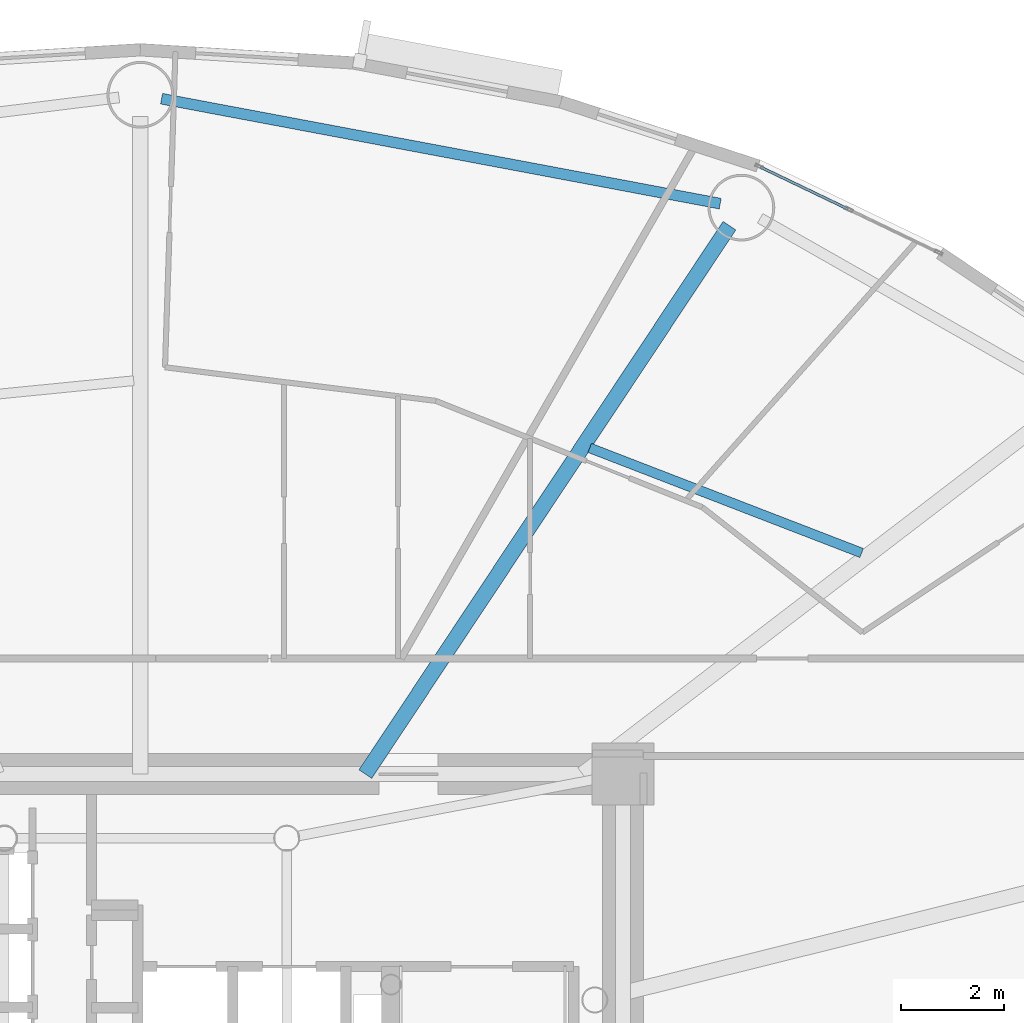
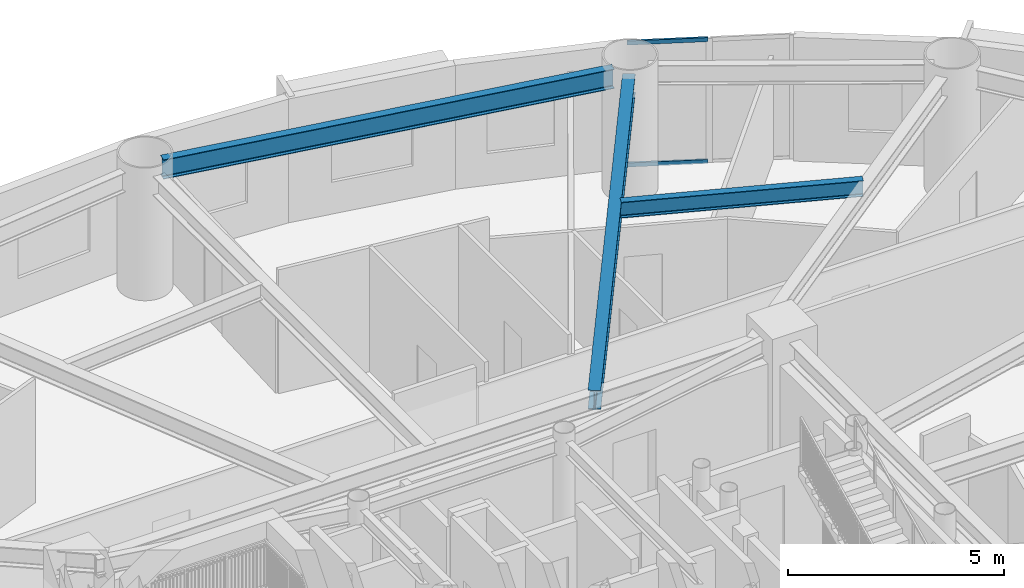
# One storey, part 4 of 17: 3 beams, 2 members, 1 element without a shape of its own.
"""IFC4 building model written with IfcOpenShell, lengths in metres."""

from ifc_helpers import new_model, si_unit, direction, frame, origin, origin_2d, place, context, subcontext, project, spatial, hollow_rectangle, i_section, extrude, source, transform, mapped, material, layer, layer_set, material_profile, profile_set, type_object, element, aggregate, save


model = new_model("IFC4")

# Units and contexts
model_context = context("Model", 3, precision=1e-05, world=origin(), true_north=direction((0.0, 1.0)))
body_context = subcontext(model_context, "Body", "Model", "MODEL_VIEW")
ifc_project = project(units=[si_unit("LENGTHUNIT", "METRE"), si_unit("AREAUNIT", "SQUARE_METRE"), si_unit("VOLUMEUNIT", "CUBIC_METRE"), si_unit("PLANEANGLEUNIT", "RADIAN"), si_unit("MASSUNIT", "GRAM", prefix="KILO")], contexts=[model_context])

# Site, building, storey
site_placement = place(None, origin())
site = spatial("IfcSite", under=ifc_project, at=site_placement, CompositionType="ELEMENT")
building_placement = place(site_placement, origin())
building = spatial("IfcBuilding", under=site, at=building_placement, Name="Linh Dai School and Residence Tower", CompositionType="ELEMENT")
storey_placement = place(building_placement, frame((0.0, 0.0, 197.39990234375)))
storey = spatial("IfcBuildingStorey", under=building, at=storey_placement, Name="L48", CompositionType="ELEMENT", Elevation=197.39990234375)

# Beams
ifc_material_1 = material(Name="Structural Steel S355JR", Category="steel")
ifc_material_profile_1 = material_profile(ifc_material_1, i_section(OverallWidth=0.2099609375, OverallDepth=0.550048828125, WebThickness=0.010986328125, FlangeThickness=0.01708984375, FilletRadius=0.02392578125, at=origin_2d()), Name="IPE 550")
ifc_profile_set_1 = profile_set([ifc_material_profile_1], Name="Structural Steel S355JR")
beam_type_1 = type_object("IfcBeamType", Name="BM-RB55", PredefinedType="BEAM", material=ifc_profile_set_1)
beam_1_placement = place(storey_placement, frame((47.292724609375, 44.70849609375, 3.22509765625), z_axis=(-0.98280721278, 0.184634727255, 0.0), x_axis=(-0.184634727255, -0.98280721278, 0.0)))
element("IfcBeam", 1, at=beam_1_placement, inside=storey, type_object=beam_type_1, Name="L48 Perimeter Elliptical Ring Beam 04", PredefinedType="BEAM", context=body_context, shape_type="SweptSolid", body=[
    extrude(i_section(OverallWidth=0.2099609375, OverallDepth=0.550048828125, WebThickness=0.010986328125, FlangeThickness=0.01708984375, FilletRadius=0.02392578125, at=origin_2d()), origin(), (0.0, 0.0, 1.0), 11.0703125),
])
ifc_material_profile_2 = material_profile(ifc_material_1, i_section(OverallWidth=0.300048828125, OverallDepth=0.550048828125, WebThickness=0.014892578125, FlangeThickness=0.029052734375, FilletRadius=0.027099609375, at=origin_2d()), Name="HEB 550")
ifc_profile_set_2 = profile_set([ifc_material_profile_2], Name="Structural Steel S355JR")
beam_type_2 = type_object("IfcBeamType", Name="BM-RG55", PredefinedType="BEAM", material=ifc_profile_set_2)
beam_2_placement = place(storey_placement, frame((40.3818359375, 33.60009765625, 3.22509765625), z_axis=(0.553117176317, 0.833103468522, 0.0), x_axis=(-0.833103468522, 0.553117176317, 0.0)))
element("IfcBeam", 2, at=beam_2_placement, inside=storey, type_object=beam_type_2, Name="L48 Primary Radial Floor Girder 04", PredefinedType="BEAM", context=body_context, shape_type="SweptSolid", body=[
    extrude(i_section(OverallWidth=0.300048828125, OverallDepth=0.550048828125, WebThickness=0.014892578125, FlangeThickness=0.029052734375, FilletRadius=0.027099609375, at=origin_2d()), origin(), (0.0, 0.0, 1.0), 12.820556640625),
])
ifc_material_profile_3 = material_profile(ifc_material_1, i_section(OverallWidth=0.18994140625, OverallDepth=0.449951171875, WebThickness=0.009521484375, FlangeThickness=0.0146484375, FilletRadius=0.02099609375, at=origin_2d()), Name="IPE 450")
ifc_profile_set_3 = profile_set([ifc_material_profile_3], Name="Structural Steel S355JR")
beam_type_3 = type_object("IfcBeamType", Name="BM-SB45", PredefinedType="BEAM", material=ifc_profile_set_3)
beam_3_placement = place(storey_placement, frame((50.047607421875, 37.905029296875, 3.275146484375), z_axis=(-0.932814887644, 0.360355914881, 0.0), x_axis=(-0.360355914881, -0.932814887644, 0.0)))
element("IfcBeam", 3, at=beam_3_placement, inside=storey, type_object=beam_type_3, Name="L48 Secondary Circumferential Floor Beam 02", PredefinedType="BEAM", context=body_context, shape_type="SweptSolid", body=[
    extrude(i_section(OverallWidth=0.18994140625, OverallDepth=0.449951171875, WebThickness=0.009521484375, FlangeThickness=0.0146484375, FilletRadius=0.02099609375, at=origin_2d()), origin(), (0.0, 0.0, 1.0), 5.67822265625),
])

# Curtain wall, members
ifc_material_2 = material(Name="Aluminium Anodised Curtain Wall", Category="aluminium")
ifc_layer = layer(ifc_material_2, 0.14990234375)
ifc_layer_set = layer_set([ifc_layer], Name="Aluminium Anodised Curtain Wall")
curtain_wall_type = type_object("IfcCurtainWallType", Name="CW-SYS-4", PredefinedType="USERDEFINED", material=ifc_layer_set)
curtain_wall_placement = place(storey_placement, origin())
curtain_wall = element("IfcCurtainWall", 4, at=curtain_wall_placement, inside=storey, type_object=curtain_wall_type, Name="L48 CW4 Curtain Wall 07", ObjectType="RIBBON CURTAIN WALL", PredefinedType="USERDEFINED")
ifc_material_3 = material(Name="Aluminium Alloy 6063-T6", Category="aluminium")
ifc_material_profile_4 = material_profile(ifc_material_3, hollow_rectangle(XDim=0.052001953125, YDim=0.114990234375, WallThickness=0.00390625, at=origin_2d()), Name="RHS 115x52x4")
ifc_profile_set_4 = profile_set([ifc_material_profile_4], Name="Aluminium Alloy 6063-T6")
member_type = type_object("IfcMemberType", Name="CW-SYS-4-TRN", PredefinedType="USERDEFINED", material=ifc_profile_set_4)
shared_shape = source(origin(), body_context, "Body", "SweptSolid", [
    extrude(hollow_rectangle(XDim=0.052001953125, YDim=0.114990234375, WallThickness=0.00390625, at=origin_2d()), origin(), (0.0, 0.0, 1.0), 1.88720703125),
])
member_1_placement = place(storey_placement, frame((48.07666015625, 45.421142578125, 0.026123046875), z_axis=(0.901579575553, -0.432613301858, 0.0), x_axis=(0.432613301858, 0.901579575553, 0.0)))
member_1 = element("IfcMember", 5, at=member_1_placement, type_object=member_type, Name="CW4 transom 1.1", ObjectType="TRANSOM", PredefinedType="USERDEFINED", context=body_context, shape_type="MappedRepresentation", body=[
    mapped(shared_shape, transform((0.0, 0.0, 0.0), x_axis=(1.0, 0.0, 0.0), y_axis=(0.0, 1.0, 0.0), z_axis=(0.0, 0.0, 1.0), scale=1.0)),
])
member_2_placement = place(storey_placement, frame((48.07666015625, 45.421142578125, 3.47412109375), z_axis=(0.901579575553, -0.432613301858, 0.0), x_axis=(0.432613301858, 0.901579575553, 0.0)))
member_2 = element("IfcMember", 6, at=member_2_placement, type_object=member_type, Name="CW4 transom 1.2", ObjectType="TRANSOM", PredefinedType="USERDEFINED", context=body_context, shape_type="MappedRepresentation", body=[
    mapped(shared_shape, transform((0.0, 0.0, 0.0), x_axis=(1.0, 0.0, 0.0), y_axis=(0.0, 1.0, 0.0), z_axis=(0.0, 0.0, 1.0), scale=1.0)),
])
aggregate(curtain_wall, [member_1, member_2])

save(model, "model.ifc")
